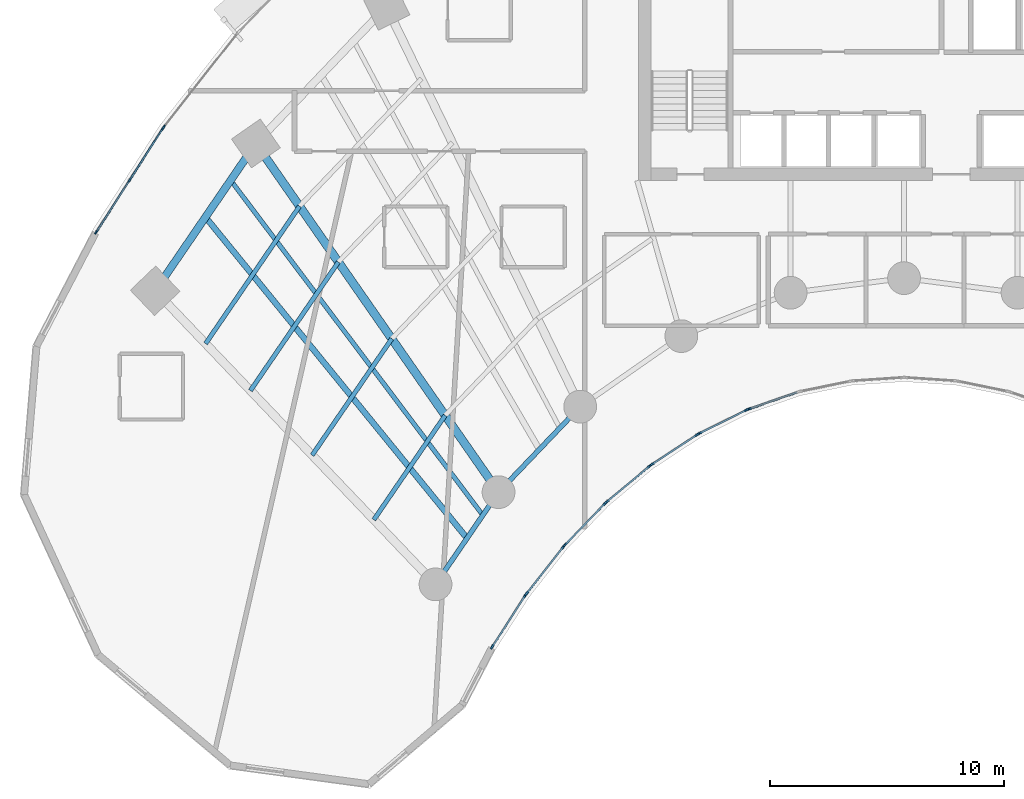
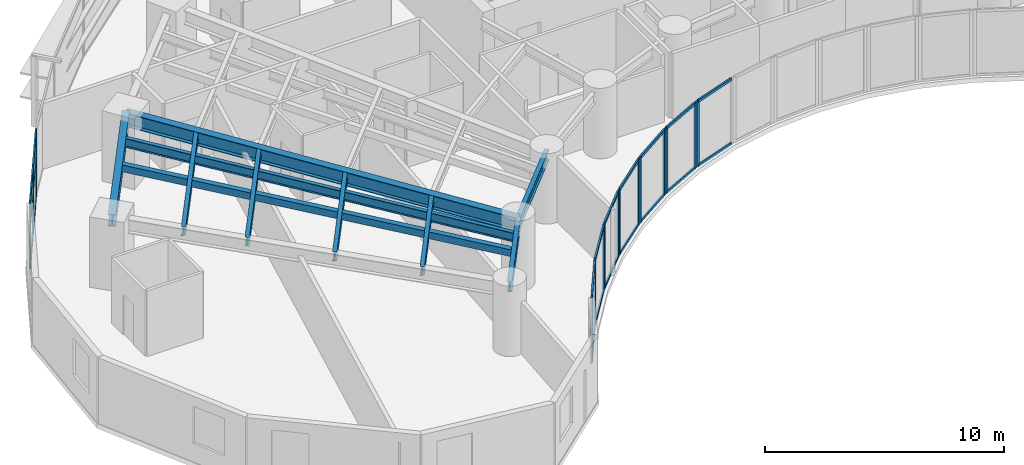
# One storey, part 2 of 17: 37 members, 10 beams, 9 elements without a shape of their own.
"""IFC4 building model written with IfcOpenShell, lengths in metres."""

from ifc_helpers import new_model, si_unit, direction, frame, origin, origin_2d, place, context, subcontext, project, spatial, rectangle, hollow_rectangle, i_section, extrude, source, transform, mapped, material, layer, layer_set, material_profile, profile_set, type_object, type_shapes, element, aggregate, save


model = new_model("IFC4")

# Units and contexts
model_context = context("Model", 3, precision=1e-05, world=origin(), true_north=direction((0.0, 1.0)))
body_context = subcontext(model_context, "Body", "Model", "MODEL_VIEW")
ifc_project = project(units=[si_unit("LENGTHUNIT", "METRE"), si_unit("AREAUNIT", "SQUARE_METRE"), si_unit("VOLUMEUNIT", "CUBIC_METRE"), si_unit("PLANEANGLEUNIT", "RADIAN"), si_unit("MASSUNIT", "GRAM", prefix="KILO")], contexts=[model_context])

# Site, building, storey
site_placement = place(None, origin())
site = spatial("IfcSite", under=ifc_project, at=site_placement, CompositionType="ELEMENT")
building_placement = place(site_placement, origin())
building = spatial("IfcBuilding", under=site, at=building_placement, Name="Breltana Convention Tower", CompositionType="ELEMENT")
storey_placement = place(building_placement, frame((0.0, 0.0, 78.60009765625)))
storey = spatial("IfcBuildingStorey", under=building, at=storey_placement, Name="L18", CompositionType="ELEMENT", Elevation=78.60009765625)

# Beams
ifc_material_1 = material(Name="Steel ASTM A992 Grade 50", Category="steel")
ifc_material_profile_1 = material_profile(ifc_material_1, i_section(OverallWidth=0.323974609375, OverallDepth=0.611083984375, WebThickness=0.0126953125, FlangeThickness=0.01904296875, at=origin_2d()), Name="W24X104")
ifc_profile_set_1 = profile_set([ifc_material_profile_1], Name="Steel ASTM A992 Grade 50")
beam_type_1 = type_object("IfcBeamType", Name="BM-SP-W24X104", PredefinedType="SPANDREL", material=ifc_profile_set_1)
shared_shape_1 = source(origin(), body_context, "Body", "SweptSolid", [
    extrude(i_section(OverallWidth=0.323974609375, OverallDepth=0.611083984375, WebThickness=0.0126953125, FlangeThickness=0.01904296875, at=origin_2d()), origin(), (0.0, 0.0, 1.0), 7.625),
])
type_shapes(beam_type_1, [shared_shape_1])
beam_1_placement = place(storey_placement, frame((16.0068359375, 55.494384765625, 3.054443359375), z_axis=(0.564452031902, 0.825465870694, 0.0), x_axis=(-0.825465870694, 0.564452031902, 0.0)))
element("IfcBeam", 1, at=beam_1_placement, inside=storey, type_object=beam_type_1, Name="L18 Outer Spandrel Beam 01", PredefinedType="SPANDREL", context=body_context, shape_type="MappedRepresentation", body=[
    mapped(shared_shape_1, transform((0.0, 0.0, 0.0), scale=1.0)),
])
ifc_material_profile_2 = material_profile(ifc_material_1, i_section(OverallWidth=0.35498046875, OverallDepth=0.696044921875, WebThickness=0.015380859375, FlangeThickness=0.02490234375, at=origin_2d()), Name="W27X146")
ifc_profile_set_2 = profile_set([ifc_material_profile_2], Name="Steel ASTM A992 Grade 50")
beam_type_2 = type_object("IfcBeamType", Name="BM-RG-W27X146", PredefinedType="USERDEFINED", material=ifc_profile_set_2)
shared_shape_2 = source(origin(), body_context, "Body", "SweptSolid", [
    extrude(i_section(OverallWidth=0.35498046875, OverallDepth=0.696044921875, WebThickness=0.015380859375, FlangeThickness=0.02490234375, at=origin_2d()), origin(), (0.0, 0.0, 1.0), 18.1484375),
])
beam_2_placement = place(storey_placement, frame((30.67724609375, 46.892333984375, 3.011962890625), z_axis=(-0.571207556098, 0.820805657788, 0.0), x_axis=(-0.820805657788, -0.571207556098, 0.0)))
element("IfcBeam", 2, at=beam_2_placement, inside=storey, type_object=beam_type_2, Name="L18 Radial Floor Girder R02", ObjectType="GIRDER", PredefinedType="USERDEFINED", context=body_context, shape_type="MappedRepresentation", body=[
    mapped(shared_shape_2, transform((0.0, 0.0, 0.0), scale=1.0)),
])
ifc_material_profile_3 = material_profile(ifc_material_1, i_section(OverallWidth=0.2099609375, OverallDepth=0.537109375, WebThickness=0.010986328125, FlangeThickness=0.017333984375, at=origin_2d()), Name="W21X68")
ifc_profile_set_3 = profile_set([ifc_material_profile_3], Name="Steel ASTM A992 Grade 50")
beam_type_3 = type_object("IfcBeamType", Name="BM-BM-W21X68", PredefinedType="BEAM", material=ifc_profile_set_3)
shared_shape_3 = source(origin(), body_context, "Body", "SweptSolid", [
    extrude(i_section(OverallWidth=0.2099609375, OverallDepth=0.537109375, WebThickness=0.010986328125, FlangeThickness=0.017333984375, at=origin_2d()), origin(), (0.0, 0.0, 1.0), 4.770263671875),
])
beam_3_placement = place(storey_placement, frame((27.984619140625, 42.95458984375, 3.09130859375), z_axis=(0.564452719055, 0.82546540082, 0.0), x_axis=(-0.82546540082, 0.564452719055, 0.0)))
element("IfcBeam", 3, at=beam_3_placement, inside=storey, type_object=beam_type_3, Name="L18 Inner Ring Beam 01", PredefinedType="BEAM", context=body_context, shape_type="MappedRepresentation", body=[
    mapped(shared_shape_3, transform((0.0, 0.0, 0.0), scale=1.0)),
])
shared_shape_4 = source(origin(), body_context, "Body", "SweptSolid", [
    extrude(i_section(OverallWidth=0.2099609375, OverallDepth=0.537109375, WebThickness=0.010986328125, FlangeThickness=0.017333984375, at=origin_2d()), origin(), (0.0, 0.0, 1.0), 5.05126953125),
])
beam_4_placement = place(storey_placement, frame((30.67724609375, 46.892333984375, 3.09130859375), z_axis=(0.690729753845, 0.7231129975, 0.0), x_axis=(-0.7231129975, 0.690729753845, 0.0)))
element("IfcBeam", 4, at=beam_4_placement, inside=storey, type_object=beam_type_3, Name="L18 Inner Ring Beam 02", PredefinedType="BEAM", context=body_context, shape_type="MappedRepresentation", body=[
    mapped(shared_shape_4, transform((0.0, 0.0, 0.0), scale=1.0)),
])
ifc_material_profile_4 = material_profile(ifc_material_1, i_section(OverallWidth=0.19091796875, OverallDepth=0.4599609375, WebThickness=0.010009765625, FlangeThickness=0.01611328125, at=origin_2d()), Name="W18X55")
ifc_profile_set_4 = profile_set([ifc_material_profile_4], Name="Steel ASTM A992 Grade 50")
beam_type_4 = type_object("IfcBeamType", Name="BM-JSG-07", PredefinedType="JOIST", material=ifc_profile_set_4)
shared_shape_5 = source(origin(), body_context, "Body", "SweptSolid", [
    extrude(i_section(OverallWidth=0.19091796875, OverallDepth=0.4599609375, WebThickness=0.010009765625, FlangeThickness=0.01611328125, at=origin_2d()), origin(), (0.0, 0.0, 1.0), 5.3984375),
])
type_shapes(beam_type_4, [shared_shape_5])
beam_5_placement = place(storey_placement, frame((25.349365234375, 45.71337890625, 3.1298828125), z_axis=(0.564440705434, 0.825473615599, 0.0), x_axis=(-0.825473615599, 0.564440705434, 0.0)))
element("IfcBeam", 5, at=beam_5_placement, inside=storey, type_object=beam_type_4, Name="L18 Composite Floor Joist 01.1", PredefinedType="JOIST", context=body_context, shape_type="MappedRepresentation", body=[
    mapped(shared_shape_5, transform((0.0, 0.0, 0.0), scale=1.0)),
])
shared_shape_6 = source(origin(), body_context, "Body", "SweptSolid", [
    extrude(i_section(OverallWidth=0.19091796875, OverallDepth=0.4599609375, WebThickness=0.010009765625, FlangeThickness=0.01611328125, at=origin_2d()), origin(), (0.0, 0.0, 1.0), 6.0263671875),
])
beam_6_placement = place(storey_placement, frame((22.71435546875, 48.47216796875, 3.1298828125), z_axis=(0.564450071397, 0.825467211281, 0.0), x_axis=(-0.825467211281, 0.564450071397, 0.0)))
element("IfcBeam", 6, at=beam_6_placement, inside=storey, type_object=beam_type_4, Name="L18 Composite Floor Joist 01.2", PredefinedType="JOIST", context=body_context, shape_type="MappedRepresentation", body=[
    mapped(shared_shape_6, transform((0.0, 0.0, 0.0), scale=1.0)),
])
shared_shape_7 = source(origin(), body_context, "Body", "SweptSolid", [
    extrude(i_section(OverallWidth=0.19091796875, OverallDepth=0.4599609375, WebThickness=0.010009765625, FlangeThickness=0.01611328125, at=origin_2d()), origin(), (0.0, 0.0, 1.0), 6.654541015625),
])
beam_7_placement = place(storey_placement, frame((20.0791015625, 51.23095703125, 3.1298828125), z_axis=(0.564482668195, 0.82544492082, 0.0), x_axis=(-0.82544492082, 0.564482668195, 0.0)))
element("IfcBeam", 7, at=beam_7_placement, inside=storey, type_object=beam_type_4, Name="L18 Composite Floor Joist 01.3", PredefinedType="JOIST", context=body_context, shape_type="MappedRepresentation", body=[
    mapped(shared_shape_7, transform((0.0, 0.0, 0.0), scale=1.0)),
])
shared_shape_8 = source(origin(), body_context, "Body", "SweptSolid", [
    extrude(i_section(OverallWidth=0.19091796875, OverallDepth=0.4599609375, WebThickness=0.010009765625, FlangeThickness=0.01611328125, at=origin_2d()), origin(), (0.0, 0.0, 1.0), 7.111328125),
])
beam_8_placement = place(storey_placement, frame((18.162841796875, 53.2373046875, 3.1298828125), z_axis=(0.564446356178, 0.825469751715, 0.0), x_axis=(-0.825469751715, 0.564446356178, 0.0)))
element("IfcBeam", 8, at=beam_8_placement, inside=storey, type_object=beam_type_4, Name="L18 Composite Floor Joist 01.4", PredefinedType="JOIST", context=body_context, shape_type="MappedRepresentation", body=[
    mapped(shared_shape_8, transform((0.0, 0.0, 0.0), scale=1.0)),
])
ifc_material_profile_5 = material_profile(ifc_material_1, hollow_rectangle(XDim=0.25, YDim=0.35009765625, WallThickness=0.011962890625, at=origin_2d()), Name="RHS350X250X12")
ifc_profile_set_5 = profile_set([ifc_material_profile_5], Name="Steel ASTM A992 Grade 50")
beam_type_5 = type_object("IfcBeamType", Name="BM-JSG-12", PredefinedType="JOIST", material=ifc_profile_set_5)
shared_shape_9 = source(origin(), body_context, "Body", "SweptSolid", [
    extrude(hollow_rectangle(XDim=0.25, YDim=0.35009765625, WallThickness=0.011962890625, at=origin_2d()), origin(), (0.0, 0.0, 1.0), 17.691650390625),
])
type_shapes(beam_type_5, [shared_shape_9])
beam_9_placement = place(storey_placement, frame((29.330810546875, 44.923583984375, 3.184814453125), z_axis=(-0.631476958478, 0.775394642044, 0.0), x_axis=(-0.775394642044, -0.631476958478, 0.0)))
element("IfcBeam", 9, at=beam_9_placement, inside=storey, type_object=beam_type_5, Name="L18 Mid-Bay Radial Trimmer 01", PredefinedType="JOIST", context=body_context, shape_type="MappedRepresentation", body=[
    mapped(shared_shape_9, transform((0.0, 0.0, 0.0), scale=1.0)),
])
shared_shape_10 = source(origin(), body_context, "Body", "SweptSolid", [
    extrude(i_section(OverallWidth=0.19091796875, OverallDepth=0.4599609375, WebThickness=0.010009765625, FlangeThickness=0.01611328125, at=origin_2d()), origin(), (0.0, 0.0, 1.0), 17.9072265625),
])
beam_10_placement = place(storey_placement, frame((30.00390625, 45.907958984375, 3.1298828125), z_axis=(-0.601382105028, 0.798961553363, 0.0), x_axis=(-0.798961553363, -0.601382105028, 0.0)))
element("IfcBeam", 10, at=beam_10_placement, inside=storey, type_object=beam_type_4, Name="L18 Quarter-Bay Radial Trimmer 01", PredefinedType="JOIST", context=body_context, shape_type="MappedRepresentation", body=[
    mapped(shared_shape_10, transform((0.0, 0.0, 0.0), scale=1.0)),
])

# Curtain wall, members
ifc_material_2 = material(Name="Aluminium Anodised Bronze Frame", Category="aluminium")
ifc_layer_1 = layer(ifc_material_2, 0.18994140625, Name="Aluminium Anodised Bronze Frame")
ifc_layer_set_1 = layer_set([ifc_layer_1], Name="Aluminium Anodised Bronze Frame")
curtain_wall_type_1 = type_object("IfcCurtainWallType", Name="CW-SYS-1", PredefinedType="NOTDEFINED", material=ifc_layer_set_1)
curtain_wall_1_placement = place(storey_placement, origin())
curtain_wall_1 = element("IfcCurtainWall", 11, at=curtain_wall_1_placement, inside=storey, type_object=curtain_wall_type_1, Name="L18 inner south-court glazing 16", PredefinedType="NOTDEFINED")
ifc_material_3 = material(Name="Aluminium Anodised Bronze", Category="aluminium")
ifc_material_profile_6 = material_profile(ifc_material_3, rectangle(XDim=0.080078125, YDim=0.139892578125, at=origin_2d()), Name="CWT-80X140")
ifc_profile_set_6 = profile_set([ifc_material_profile_6], Name="Aluminium Anodised Bronze")
member_type_1 = type_object("IfcMemberType", Name="CWT-140", PredefinedType="USERDEFINED", material=ifc_profile_set_6)
shared_shape_11 = source(origin(), body_context, "Body", "SweptSolid", [
    extrude(rectangle(XDim=0.080078125, YDim=0.139892578125, at=origin_2d()), origin(), (0.0, 0.0, 1.0), 2.38720703125),
])
type_shapes(member_type_1, [shared_shape_11])
member_1_placement = place(storey_placement, frame((35.2021484375, 46.385009765625, 0.039794921875), z_axis=(-0.694623715393, -0.719373264734, 0.0), x_axis=(0.719373264734, -0.694623715393, 0.0)))
member_1 = element("IfcMember", 12, at=member_1_placement, type_object=member_type_1, Name="CW-01 transom 1.1", ObjectType="TRANSOM", PredefinedType="USERDEFINED", context=body_context, shape_type="MappedRepresentation", body=[
    mapped(shared_shape_11, transform((0.0, 0.0, 0.0), scale=1.0)),
])
member_2_placement = place(storey_placement, frame((35.2021484375, 46.385009765625, 3.31982421875), z_axis=(-0.694623715393, -0.719373264734, 0.0), x_axis=(0.719373264734, -0.694623715393, 0.0)))
member_2 = element("IfcMember", 13, at=member_2_placement, type_object=member_type_1, Name="CW-01 transom 1.2", ObjectType="TRANSOM", PredefinedType="USERDEFINED", context=body_context, shape_type="MappedRepresentation", body=[
    mapped(shared_shape_11, transform((0.0, 0.0, 0.0), scale=1.0)),
])

curtain_wall_2_placement = place(storey_placement, origin())
curtain_wall_2 = element("IfcCurtainWall", 14, at=curtain_wall_2_placement, inside=storey, type_object=curtain_wall_type_1, Name="L18 inner south-court glazing 15", PredefinedType="NOTDEFINED")
shared_shape_12 = source(origin(), body_context, "Body", "SweptSolid", [
    extrude(rectangle(XDim=0.080078125, YDim=0.139892578125, at=origin_2d()), origin(), (0.0, 0.0, 1.0), 2.312255859375),
])
member_3_placement = place(storey_placement, frame((37.10888671875, 47.988037109375, 0.039794921875), z_axis=(-0.767900974507, -0.640568570374, 0.0), x_axis=(0.640568570374, -0.767900974507, 0.0)))
member_3 = element("IfcMember", 15, at=member_3_placement, type_object=member_type_1, Name="CW-01 transom 1.1", ObjectType="TRANSOM", PredefinedType="USERDEFINED", context=body_context, shape_type="MappedRepresentation", body=[
    mapped(shared_shape_12, transform((0.0, 0.0, 0.0), scale=1.0)),
])
member_4_placement = place(storey_placement, frame((37.10888671875, 47.988037109375, 3.31982421875), z_axis=(-0.767900974507, -0.640568570374, 0.0), x_axis=(0.640568570374, -0.767900974507, 0.0)))
member_4 = element("IfcMember", 16, at=member_4_placement, type_object=member_type_1, Name="CW-01 transom 1.2", ObjectType="TRANSOM", PredefinedType="USERDEFINED", context=body_context, shape_type="MappedRepresentation", body=[
    mapped(shared_shape_12, transform((0.0, 0.0, 0.0), scale=1.0)),
])

curtain_wall_3_placement = place(storey_placement, origin())
curtain_wall_3 = element("IfcCurtainWall", 17, at=curtain_wall_3_placement, inside=storey, type_object=curtain_wall_type_1, Name="L18 inner south-court glazing 14", PredefinedType="NOTDEFINED")
shared_shape_13 = source(origin(), body_context, "Body", "SweptSolid", [
    extrude(rectangle(XDim=0.080078125, YDim=0.139892578125, at=origin_2d()), origin(), (0.0, 0.0, 1.0), 2.2421875),
])
member_5_placement = place(storey_placement, frame((39.128173828125, 49.325927734375, 0.039794921875), z_axis=(-0.835982353773, -0.548756324957, 0.0), x_axis=(0.548756324957, -0.835982353773, 0.0)))
member_5 = element("IfcMember", 18, at=member_5_placement, type_object=member_type_1, Name="CW-01 transom 1.1", ObjectType="TRANSOM", PredefinedType="USERDEFINED", context=body_context, shape_type="MappedRepresentation", body=[
    mapped(shared_shape_13, transform((0.0, 0.0, 0.0), scale=1.0)),
])
member_6_placement = place(storey_placement, frame((39.128173828125, 49.325927734375, 3.31982421875), z_axis=(-0.835982353773, -0.548756324957, 0.0), x_axis=(0.548756324957, -0.835982353773, 0.0)))
member_6 = element("IfcMember", 19, at=member_6_placement, type_object=member_type_1, Name="CW-01 transom 1.2", ObjectType="TRANSOM", PredefinedType="USERDEFINED", context=body_context, shape_type="MappedRepresentation", body=[
    mapped(shared_shape_13, transform((0.0, 0.0, 0.0), scale=1.0)),
])

curtain_wall_4_placement = place(storey_placement, origin())
curtain_wall_4 = element("IfcCurtainWall", 20, at=curtain_wall_4_placement, inside=storey, type_object=curtain_wall_type_1, Name="L18 inner south-court glazing 13", PredefinedType="NOTDEFINED")
shared_shape_14 = source(origin(), body_context, "Body", "SweptSolid", [
    extrude(rectangle(XDim=0.080078125, YDim=0.139892578125, at=origin_2d()), origin(), (0.0, 0.0, 1.0), 2.180908203125),
])
member_7_placement = place(storey_placement, frame((41.239501953125, 50.384765625, 0.039794921875), z_axis=(-0.895922266369, -0.444210865045, 0.0), x_axis=(0.444210865045, -0.895922266369, 0.0)))
member_7 = element("IfcMember", 21, at=member_7_placement, type_object=member_type_1, Name="CW-01 transom 1.1", ObjectType="TRANSOM", PredefinedType="USERDEFINED", context=body_context, shape_type="MappedRepresentation", body=[
    mapped(shared_shape_14, transform((0.0, 0.0, 0.0), scale=1.0)),
])
member_8_placement = place(storey_placement, frame((41.239501953125, 50.384765625, 3.31982421875), z_axis=(-0.895922266369, -0.444210865045, 0.0), x_axis=(0.444210865045, -0.895922266369, 0.0)))
member_8 = element("IfcMember", 22, at=member_8_placement, type_object=member_type_1, Name="CW-01 transom 1.2", ObjectType="TRANSOM", PredefinedType="USERDEFINED", context=body_context, shape_type="MappedRepresentation", body=[
    mapped(shared_shape_14, transform((0.0, 0.0, 0.0), scale=1.0)),
])

curtain_wall_5_placement = place(storey_placement, origin())
curtain_wall_5 = element("IfcCurtainWall", 23, at=curtain_wall_5_placement, inside=storey, type_object=curtain_wall_type_1, Name="L18 inner south-court glazing 17", PredefinedType="NOTDEFINED")
shared_shape_15 = source(origin(), body_context, "Body", "SweptSolid", [
    extrude(rectangle(XDim=0.080078125, YDim=0.139892578125, at=origin_2d()), origin(), (0.0, 0.0, 1.0), 2.4638671875),
])
member_9_placement = place(storey_placement, frame((33.427001953125, 44.533447265625, 0.039794921875), z_axis=(-0.618184689608, -0.786032880695, 0.0), x_axis=(0.786032880695, -0.618184689608, 0.0)))
member_9 = element("IfcMember", 24, at=member_9_placement, type_object=member_type_1, Name="CW-01 transom 1.1", ObjectType="TRANSOM", PredefinedType="USERDEFINED", context=body_context, shape_type="MappedRepresentation", body=[
    mapped(shared_shape_15, transform((0.0, 0.0, 0.0), scale=1.0)),
])
member_10_placement = place(storey_placement, frame((33.427001953125, 44.533447265625, 3.31982421875), z_axis=(-0.618184689608, -0.786032880695, 0.0), x_axis=(0.786032880695, -0.618184689608, 0.0)))
member_10 = element("IfcMember", 25, at=member_10_placement, type_object=member_type_1, Name="CW-01 transom 1.2", ObjectType="TRANSOM", PredefinedType="USERDEFINED", context=body_context, shape_type="MappedRepresentation", body=[
    mapped(shared_shape_15, transform((0.0, 0.0, 0.0), scale=1.0)),
])

curtain_wall_6_placement = place(storey_placement, origin())
curtain_wall_6 = element("IfcCurtainWall", 26, at=curtain_wall_6_placement, inside=storey, type_object=curtain_wall_type_1, Name="L18 inner south-court glazing 18", PredefinedType="NOTDEFINED")
shared_shape_16 = source(origin(), body_context, "Body", "SweptSolid", [
    extrude(rectangle(XDim=0.080078125, YDim=0.139892578125, at=origin_2d()), origin(), (0.0, 0.0, 1.0), 2.53955078125),
])
member_11_placement = place(storey_placement, frame((31.801025390625, 42.452392578125, 0.039794921875), z_axis=(-0.540174413174, -0.841553090038, 0.0), x_axis=(0.841553090038, -0.540174413174, 0.0)))
member_11 = element("IfcMember", 27, at=member_11_placement, type_object=member_type_1, Name="CW-01 transom 1.1", ObjectType="TRANSOM", PredefinedType="USERDEFINED", context=body_context, shape_type="MappedRepresentation", body=[
    mapped(shared_shape_16, transform((0.0, 0.0, 0.0), scale=1.0)),
])
member_12_placement = place(storey_placement, frame((31.801025390625, 42.452392578125, 3.31982421875), z_axis=(-0.540174413174, -0.841553090038, 0.0), x_axis=(0.841553090038, -0.540174413174, 0.0)))
member_12 = element("IfcMember", 28, at=member_12_placement, type_object=member_type_1, Name="CW-01 transom 1.2", ObjectType="TRANSOM", PredefinedType="USERDEFINED", context=body_context, shape_type="MappedRepresentation", body=[
    mapped(shared_shape_16, transform((0.0, 0.0, 0.0), scale=1.0)),
])

curtain_wall_7_placement = place(storey_placement, origin())
curtain_wall_7 = element("IfcCurtainWall", 29, at=curtain_wall_7_placement, inside=storey, type_object=curtain_wall_type_1, Name="L18 inner south-court glazing 12", PredefinedType="NOTDEFINED")
shared_shape_17 = source(origin(), body_context, "Body", "SweptSolid", [
    extrude(rectangle(XDim=0.080078125, YDim=0.139892578125, at=origin_2d()), origin(), (0.0, 0.0, 1.0), 2.131103515625),
])
member_13_placement = place(storey_placement, frame((43.421630859375, 51.153076171875, 0.039794921875), z_axis=(-0.944847069856, -0.327511854112, 0.0), x_axis=(0.327511854112, -0.944847069856, 0.0)))
member_13 = element("IfcMember", 30, at=member_13_placement, type_object=member_type_1, Name="CW-01 transom 1.1", ObjectType="TRANSOM", PredefinedType="USERDEFINED", context=body_context, shape_type="MappedRepresentation", body=[
    mapped(shared_shape_17, transform((0.0, 0.0, 0.0), scale=1.0)),
])
member_14_placement = place(storey_placement, frame((43.421630859375, 51.153076171875, 3.31982421875), z_axis=(-0.944847069856, -0.327511854112, 0.0), x_axis=(0.327511854112, -0.944847069856, 0.0)))
member_14 = element("IfcMember", 31, at=member_14_placement, type_object=member_type_1, Name="CW-01 transom 1.2", ObjectType="TRANSOM", PredefinedType="USERDEFINED", context=body_context, shape_type="MappedRepresentation", body=[
    mapped(shared_shape_17, transform((0.0, 0.0, 0.0), scale=1.0)),
])

ifc_layer_2 = layer(ifc_material_2, 0.199951171875, Name="Aluminium Anodised Bronze Frame")
ifc_layer_set_2 = layer_set([ifc_layer_2], Name="Aluminium Anodised Bronze Frame")
curtain_wall_type_2 = type_object("IfcCurtainWallType", Name="CW-SYS-2", PredefinedType="NOTDEFINED", material=ifc_layer_set_2)
curtain_wall_8_placement = place(storey_placement, origin())
curtain_wall_8 = element("IfcCurtainWall", 32, at=curtain_wall_8_placement, inside=storey, type_object=curtain_wall_type_2, Name="L18 outer double-skin inner glazing 1", PredefinedType="NOTDEFINED")
ifc_material_profile_7 = material_profile(ifc_material_3, rectangle(XDim=0.070068359375, YDim=0.1201171875, at=origin_2d()), Name="CWT-70X120")
ifc_profile_set_7 = profile_set([ifc_material_profile_7], Name="Aluminium Anodised Bronze")
member_type_2 = type_object("IfcMemberType", Name="CWT-120", PredefinedType="USERDEFINED", material=ifc_profile_set_7)
shared_shape_18 = source(origin(), body_context, "Body", "SweptSolid", [
    extrude(rectangle(XDim=0.070068359375, YDim=0.1201171875, at=origin_2d()), origin(), (0.0, 0.0, 1.0), 2.56787109375),
])
type_shapes(member_type_2, [shared_shape_18])
member_15_placement = place(storey_placement, frame((13.505859375, 58.0234375, 0.034912109375), z_axis=(0.54022409371, 0.841521199124, 0.0), x_axis=(-0.841521199124, 0.54022409371, 0.0)))
member_15 = element("IfcMember", 33, at=member_15_placement, type_object=member_type_2, Name="CW-02 transom 1.1", ObjectType="TRANSOM", PredefinedType="USERDEFINED", context=body_context, shape_type="MappedRepresentation", body=[
    mapped(shared_shape_18, transform((0.0, 0.0, 0.0), scale=1.0)),
])
member_16_placement = place(storey_placement, frame((13.505859375, 58.0234375, 2.183837890625), z_axis=(0.54022409371, 0.841521199124, 0.0), x_axis=(-0.841521199124, 0.54022409371, 0.0)))
member_16 = element("IfcMember", 34, at=member_16_placement, type_object=member_type_2, Name="CW-02 transom 1.2", ObjectType="TRANSOM", PredefinedType="USERDEFINED", context=body_context, shape_type="MappedRepresentation", body=[
    mapped(shared_shape_18, transform((0.0, 0.0, 0.0), scale=1.0)),
])
member_17_placement = place(storey_placement, frame((13.505859375, 58.0234375, 3.324951171875), z_axis=(0.54022409371, 0.841521199124, 0.0), x_axis=(-0.841521199124, 0.54022409371, 0.0)))
member_17 = element("IfcMember", 35, at=member_17_placement, type_object=member_type_2, Name="CW-02 transom 1.3", ObjectType="TRANSOM", PredefinedType="USERDEFINED", context=body_context, shape_type="MappedRepresentation", body=[
    mapped(shared_shape_18, transform((0.0, 0.0, 0.0), scale=1.0)),
])
member_18_placement = place(storey_placement, frame((14.930908203125, 60.2431640625, 0.034912109375), z_axis=(0.540113540427, 0.841592159806, 0.0), x_axis=(-0.841592159806, 0.540113540427, 0.0)))
member_18 = element("IfcMember", 36, at=member_18_placement, type_object=member_type_2, Name="CW-02 transom 2.1", ObjectType="TRANSOM", PredefinedType="USERDEFINED", context=body_context, shape_type="MappedRepresentation", body=[
    mapped(shared_shape_18, transform((0.0, 0.0, 0.0), scale=1.0)),
])
member_19_placement = place(storey_placement, frame((14.930908203125, 60.2431640625, 2.183837890625), z_axis=(0.540113540427, 0.841592159806, 0.0), x_axis=(-0.841592159806, 0.540113540427, 0.0)))
member_19 = element("IfcMember", 37, at=member_19_placement, type_object=member_type_2, Name="CW-02 transom 2.2", ObjectType="TRANSOM", PredefinedType="USERDEFINED", context=body_context, shape_type="MappedRepresentation", body=[
    mapped(shared_shape_18, transform((0.0, 0.0, 0.0), scale=1.0)),
])
member_20_placement = place(storey_placement, frame((14.930908203125, 60.2431640625, 3.324951171875), z_axis=(0.540113540427, 0.841592159806, 0.0), x_axis=(-0.841592159806, 0.540113540427, 0.0)))
member_20 = element("IfcMember", 38, at=member_20_placement, type_object=member_type_2, Name="CW-02 transom 2.3", ObjectType="TRANSOM", PredefinedType="USERDEFINED", context=body_context, shape_type="MappedRepresentation", body=[
    mapped(shared_shape_18, transform((0.0, 0.0, 0.0), scale=1.0)),
])

# Member
ifc_material_profile_8 = material_profile(ifc_material_3, rectangle(XDim=0.080078125, YDim=0.199951171875, at=origin_2d()), Name="CWM-80X200")
ifc_profile_set_8 = profile_set([ifc_material_profile_8], Name="Aluminium Anodised Bronze")
member_type_3 = type_object("IfcMemberType", Name="CWM-200", PredefinedType="MULLION", material=ifc_profile_set_8)
shared_shape_19 = source(origin(), body_context, "Body", "SweptSolid", [
    extrude(rectangle(XDim=0.080078125, YDim=0.199951171875, at=origin_2d()), origin(), (0.0, 0.0, 1.0), 3.35986328125),
])
member_21_placement = place(storey_placement, frame((41.3701171875, 50.442138671875, 0.0), z_axis=(0.0, 0.0, 1.0), x_axis=(0.327413341714, -0.944881211406, 0.0)))
member_21 = element("IfcMember", 39, at=member_21_placement, type_object=member_type_3, Name="CW-01 mullion 2", PredefinedType="MULLION", context=body_context, shape_type="MappedRepresentation", body=[
    mapped(shared_shape_19, transform((0.0, 0.0, 0.0), scale=1.0)),
])

aggregate(curtain_wall_7, [member_21, member_13, member_14])

member_22_placement = place(storey_placement, frame((41.275390625, 50.40234375, 0.0), z_axis=(0.0, 0.0, 1.0), x_axis=(0.444117987602, -0.895968310315, 0.0)))
member_22 = element("IfcMember", 40, at=member_22_placement, type_object=member_type_3, Name="CW-01 mullion 1", PredefinedType="MULLION", context=body_context, shape_type="MappedRepresentation", body=[
    mapped(shared_shape_19, transform((0.0, 0.0, 0.0), scale=1.0)),
])

member_23_placement = place(storey_placement, frame((39.249755859375, 49.3984375, 0.0), z_axis=(0.0, 0.0, 1.0), x_axis=(0.444117987602, -0.895968310315, 0.0)))
member_23 = element("IfcMember", 41, at=member_23_placement, type_object=member_type_3, Name="CW-01 mullion 2", PredefinedType="MULLION", context=body_context, shape_type="MappedRepresentation", body=[
    mapped(shared_shape_19, transform((0.0, 0.0, 0.0), scale=1.0)),
])

aggregate(curtain_wall_4, [member_22, member_23, member_7, member_8])

member_24_placement = place(storey_placement, frame((39.16162109375, 49.347900390625, 0.0), z_axis=(0.0, 0.0, 1.0), x_axis=(0.548778278441, -0.835967942634, 0.0)))
member_24 = element("IfcMember", 42, at=member_24_placement, type_object=member_type_3, Name="CW-01 mullion 1", PredefinedType="MULLION", context=body_context, shape_type="MappedRepresentation", body=[
    mapped(shared_shape_19, transform((0.0, 0.0, 0.0), scale=1.0)),
])

member_25_placement = place(storey_placement, frame((37.220458984375, 48.073486328125, 0.0), z_axis=(0.0, 0.0, 1.0), x_axis=(0.548778278441, -0.835967942634, 0.0)))
member_25 = element("IfcMember", 43, at=member_25_placement, type_object=member_type_3, Name="CW-01 mullion 2", PredefinedType="MULLION", context=body_context, shape_type="MappedRepresentation", body=[
    mapped(shared_shape_19, transform((0.0, 0.0, 0.0), scale=1.0)),
])

aggregate(curtain_wall_3, [member_24, member_25, member_5, member_6])

member_26_placement = place(storey_placement, frame((37.1396484375, 48.013671875, 0.0), z_axis=(0.0, 0.0, 1.0), x_axis=(0.640522524458, -0.767939382804, 0.0)))
member_26 = element("IfcMember", 44, at=member_26_placement, type_object=member_type_3, Name="CW-01 mullion 1", PredefinedType="MULLION", context=body_context, shape_type="MappedRepresentation", body=[
    mapped(shared_shape_19, transform((0.0, 0.0, 0.0), scale=1.0)),
])

member_27_placement = place(storey_placement, frame((35.302734375, 46.481201171875, 0.0), z_axis=(0.0, 0.0, 1.0), x_axis=(0.640522524458, -0.767939382804, 0.0)))
member_27 = element("IfcMember", 45, at=member_27_placement, type_object=member_type_3, Name="CW-01 mullion 2", PredefinedType="MULLION", context=body_context, shape_type="MappedRepresentation", body=[
    mapped(shared_shape_19, transform((0.0, 0.0, 0.0), scale=1.0)),
])

aggregate(curtain_wall_2, [member_26, member_27, member_3, member_4])

member_28_placement = place(storey_placement, frame((35.22998046875, 46.413818359375, 0.0), z_axis=(0.0, 0.0, 1.0), x_axis=(0.719384548773, -0.694612029111, 0.0)))
member_28 = element("IfcMember", 46, at=member_28_placement, type_object=member_type_3, Name="CW-01 mullion 1", PredefinedType="MULLION", context=body_context, shape_type="MappedRepresentation", body=[
    mapped(shared_shape_19, transform((0.0, 0.0, 0.0), scale=1.0)),
])

member_29_placement = place(storey_placement, frame((33.51611328125, 44.638916015625, 0.0), z_axis=(0.0, 0.0, 1.0), x_axis=(0.719384548773, -0.694612029111, 0.0)))
member_29 = element("IfcMember", 47, at=member_29_placement, type_object=member_type_3, Name="CW-01 mullion 2", PredefinedType="MULLION", context=body_context, shape_type="MappedRepresentation", body=[
    mapped(shared_shape_19, transform((0.0, 0.0, 0.0), scale=1.0)),
])

aggregate(curtain_wall_1, [member_28, member_29, member_1, member_2])

member_30_placement = place(storey_placement, frame((33.45166015625, 44.56494140625, 0.0), z_axis=(0.0, 0.0, 1.0), x_axis=(0.786057762734, -0.61815305034, 0.0)))
member_30 = element("IfcMember", 48, at=member_30_placement, type_object=member_type_3, Name="CW-01 mullion 1", PredefinedType="MULLION", context=body_context, shape_type="MappedRepresentation", body=[
    mapped(shared_shape_19, transform((0.0, 0.0, 0.0), scale=1.0)),
])

member_31_placement = place(storey_placement, frame((31.87890625, 42.565185546875, 0.0), z_axis=(0.0, 0.0, 1.0), x_axis=(0.786057762734, -0.61815305034, 0.0)))
member_31 = element("IfcMember", 49, at=member_31_placement, type_object=member_type_3, Name="CW-01 mullion 2", PredefinedType="MULLION", context=body_context, shape_type="MappedRepresentation", body=[
    mapped(shared_shape_19, transform((0.0, 0.0, 0.0), scale=1.0)),
])

aggregate(curtain_wall_5, [member_30, member_31, member_9, member_10])

member_32_placement = place(storey_placement, frame((31.82275390625, 42.48583984375, 0.0), z_axis=(0.0, 0.0, 1.0), x_axis=(0.841556194767, -0.540169576197, 0.0)))
member_32 = element("IfcMember", 50, at=member_32_placement, type_object=member_type_3, Name="CW-01 mullion 1", PredefinedType="MULLION", context=body_context, shape_type="MappedRepresentation", body=[
    mapped(shared_shape_19, transform((0.0, 0.0, 0.0), scale=1.0)),
])

member_33_placement = place(storey_placement, frame((30.40771484375, 40.281494140625, 0.0), z_axis=(0.0, 0.0, 1.0), x_axis=(0.841556194767, -0.540169576197, 0.0)))
member_33 = element("IfcMember", 51, at=member_33_placement, type_object=member_type_3, Name="CW-01 mullion 2", PredefinedType="MULLION", context=body_context, shape_type="MappedRepresentation", body=[
    mapped(shared_shape_19, transform((0.0, 0.0, 0.0), scale=1.0)),
])

aggregate(curtain_wall_6, [member_32, member_33, member_11, member_12])

ifc_material_profile_9 = material_profile(ifc_material_3, rectangle(XDim=0.070068359375, YDim=0.175048828125, at=origin_2d()), Name="CWM-70X175")
ifc_profile_set_9 = profile_set([ifc_material_profile_9], Name="Aluminium Anodised Bronze")
member_type_4 = type_object("IfcMemberType", Name="CWM-175", PredefinedType="MULLION", material=ifc_profile_set_9)
shared_shape_20 = source(origin(), body_context, "Body", "SweptSolid", [
    extrude(rectangle(XDim=0.070068359375, YDim=0.175048828125, at=origin_2d()), origin(), (0.0, 0.0, 1.0), 3.35986328125),
])
member_34_placement = place(storey_placement, frame((13.487060546875, 57.993896484375, 0.0), z_axis=(0.0, 0.0, 1.0), x_axis=(-0.841549039154, 0.540180724109, 0.0)))
member_34 = element("IfcMember", 52, at=member_34_placement, type_object=member_type_4, Name="CW-02 mullion 1", PredefinedType="MULLION", context=body_context, shape_type="MappedRepresentation", body=[
    mapped(shared_shape_20, transform((0.0, 0.0, 0.0), scale=1.0)),
])

member_35_placement = place(storey_placement, frame((14.911865234375, 60.2138671875, 0.0), z_axis=(0.0, 0.0, 1.0), x_axis=(-0.841549039154, 0.540180724109, 0.0)))
member_35 = element("IfcMember", 53, at=member_35_placement, type_object=member_type_4, Name="CW-02 mullion 2", PredefinedType="MULLION", context=body_context, shape_type="MappedRepresentation", body=[
    mapped(shared_shape_20, transform((0.0, 0.0, 0.0), scale=1.0)),
])

member_36_placement = place(storey_placement, frame((16.3369140625, 62.43359375, 0.0), z_axis=(0.0, 0.0, 1.0), x_axis=(-0.841549039154, 0.540180724109, 0.0)))
member_36 = element("IfcMember", 54, at=member_36_placement, type_object=member_type_4, Name="CW-02 mullion 3", PredefinedType="MULLION", context=body_context, shape_type="MappedRepresentation", body=[
    mapped(shared_shape_20, transform((0.0, 0.0, 0.0), scale=1.0)),
])

aggregate(curtain_wall_8, [member_34, member_35, member_36, member_15, member_16, member_17, member_18, member_19, member_20])

# Curtain wall, member
curtain_wall_9_placement = place(storey_placement, origin())
curtain_wall_9 = element("IfcCurtainWall", 55, at=curtain_wall_9_placement, inside=storey, type_object=curtain_wall_type_2, Name="L18 outer double-skin inner glazing 2", PredefinedType="NOTDEFINED")
member_37_placement = place(storey_placement, frame((16.37744140625, 62.49072265625, 0.0), z_axis=(0.0, 0.0, 1.0), x_axis=(-0.786057080698, 0.618153917633, 0.0)))
member_37 = element("IfcMember", 56, at=member_37_placement, type_object=member_type_4, Name="CW-02 mullion 1", PredefinedType="MULLION", context=body_context, shape_type="MappedRepresentation", body=[
    mapped(shared_shape_20, transform((0.0, 0.0, 0.0), scale=1.0)),
])
aggregate(curtain_wall_9, [member_37])

save(model, "model.ifc")
